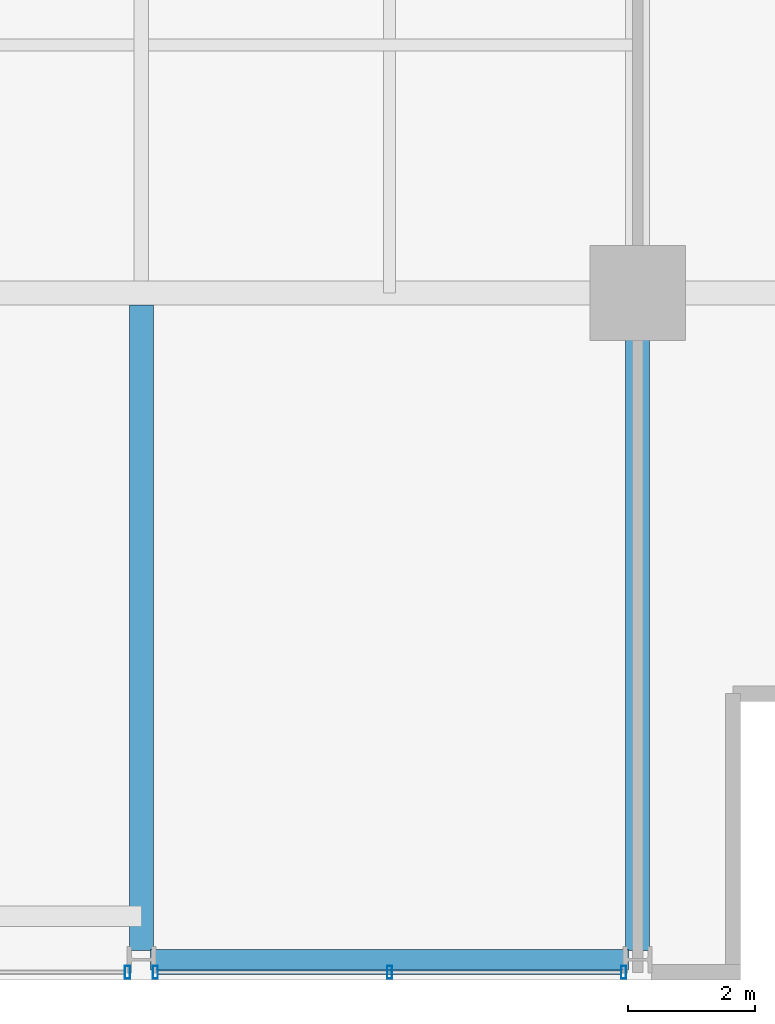
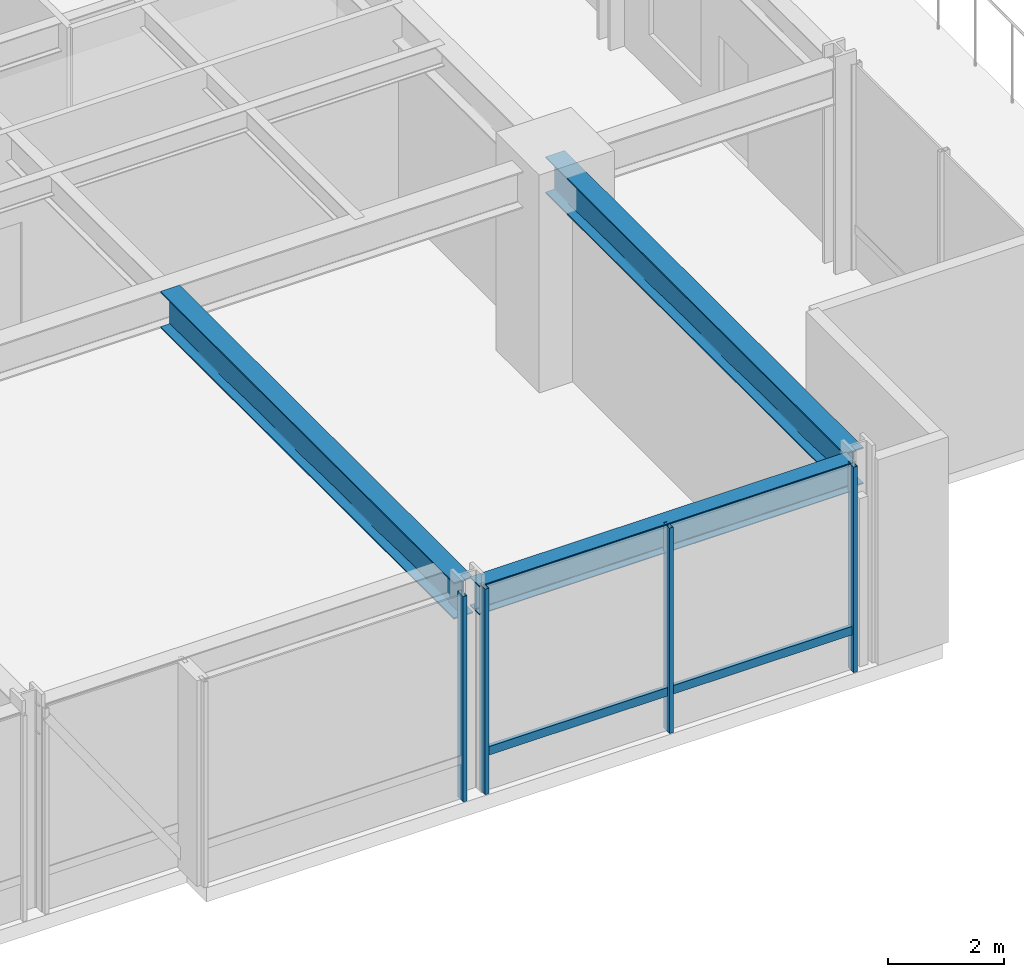
# One storey, part 11 of 33: 5 members, 3 beams, 2 elements without a shape of their own.
"""IFC4 building model written with IfcOpenShell, lengths in metres."""

from ifc_helpers import new_model, si_unit, direction, frame, origin, origin_2d, place, context, subcontext, project, spatial, hollow_rectangle, i_section, extrude, material, layer, layer_set, material_profile, profile_set, type_object, element, aggregate, save


model = new_model("IFC4")

# Units and contexts
model_context = context("Model", 3, precision=1e-05, world=origin(), true_north=direction((0.0, 1.0)))
body_context = subcontext(model_context, "Body", "Model", "MODEL_VIEW")
ifc_project = project(units=[si_unit("LENGTHUNIT", "METRE"), si_unit("AREAUNIT", "SQUARE_METRE"), si_unit("VOLUMEUNIT", "CUBIC_METRE"), si_unit("PLANEANGLEUNIT", "RADIAN"), si_unit("MASSUNIT", "GRAM", prefix="KILO")], contexts=[model_context])

# Site, building, storey
site_placement = place(None, origin())
site = spatial("IfcSite", under=ifc_project, at=site_placement, CompositionType="ELEMENT")
building_placement = place(site_placement, origin())
building = spatial("IfcBuilding", under=site, at=building_placement, Name="Drelvath Grand Hotel", CompositionType="ELEMENT")
storey_placement = place(building_placement, frame((0.0, 0.0, 87.199951171875)))
storey = spatial("IfcBuildingStorey", under=building, at=storey_placement, Name="L21", CompositionType="ELEMENT", Elevation=87.199951171875)

# Curtain wall, member
ifc_material_1 = material(Name="Champagne Bronze Anodised Aluminium Frame", Category="aluminium")
ifc_layer = layer(ifc_material_1, 0.199951171875)
ifc_layer_set = layer_set([ifc_layer], Name="Champagne Bronze Anodised Aluminium Frame")
curtain_wall_type = type_object("IfcCurtainWallType", Name="Stick Curtain Wall CW-03 Champagne Bronze Mid-Rise", PredefinedType="NOTDEFINED", material=ifc_layer_set)
curtain_wall_1_placement = place(storey_placement, origin())
curtain_wall_1 = element("IfcCurtainWall", 1, at=curtain_wall_1_placement, inside=storey, type_object=curtain_wall_type, Name="L21 CW-03 Curtain Wall CW03-L21-SE2", PredefinedType="NOTDEFINED")
ifc_material_profile_1 = material_profile(ifc_material_1, hollow_rectangle(XDim=0.074951171875, YDim=0.179931640625, WallThickness=0.0048828125, at=origin_2d()), Name="HSS180X75X5")
ifc_profile_set_1 = profile_set([ifc_material_profile_1], Name="Champagne Bronze Anodised Aluminium Frame")
member_type_1 = type_object("IfcMemberType", Name="Curtain Wall Horizontal Transom CW-03 HSS180X75X5", PredefinedType="USERDEFINED", material=ifc_profile_set_1)
member_1_placement = place(storey_placement, frame((15.9404296875, 0.1201171875, 0.85009765625), z_axis=(-1.0, 0.0, 0.0), x_axis=(0.0, -1.0, 0.0)))
member_1 = element("IfcMember", 2, at=member_1_placement, type_object=member_type_1, Name="CW03-L21-SE2 Sill Transom", ObjectType="TRANSOM", PredefinedType="USERDEFINED", context=body_context, shape_type="SweptSolid", body=[
    extrude(hollow_rectangle(XDim=0.074951171875, YDim=0.179931640625, WallThickness=0.0048828125, at=origin_2d()), origin(), (0.0, 0.0, 1.0), 7.28076171875),
])

curtain_wall_2_placement = place(storey_placement, origin())
curtain_wall_2 = element("IfcCurtainWall", 3, at=curtain_wall_2_placement, inside=storey, type_object=curtain_wall_type, Name="L21 CW-03 Curtain Wall CW03-L21-SE1", PredefinedType="NOTDEFINED")
ifc_material_profile_2 = material_profile(ifc_material_1, hollow_rectangle(XDim=0.080078125, YDim=0.199951171875, WallThickness=0.0048828125, at=origin_2d()), Name="HSS200X80X5")
ifc_profile_set_2 = profile_set([ifc_material_profile_2], Name="Champagne Bronze Anodised Aluminium Frame")
member_type_2 = type_object("IfcMemberType", Name="Curtain Wall Vertical Mullion CW-03 HSS200X80X5", PredefinedType="MULLION", material=ifc_profile_set_2)
member_2_placement = place(storey_placement, frame((8.180419921875, 0.1201171875, 0.0), z_axis=(0.0, 0.0, 1.0), x_axis=(1.0, 0.0, 0.0)))
member_2 = element("IfcMember", 4, at=member_2_placement, type_object=member_type_2, Name="CW03-L21-SE1 Mullion 1", PredefinedType="MULLION", context=body_context, shape_type="SweptSolid", body=[
    extrude(hollow_rectangle(XDim=0.080078125, YDim=0.199951171875, WallThickness=0.0048828125, at=origin_2d()), origin(), (0.0, 0.0, 1.0), 4.340087890625),
])
aggregate(curtain_wall_2, [member_2])

# Member
member_3_placement = place(storey_placement, frame((15.98046875, 0.1201171875, 0.0), z_axis=(0.0, 0.0, 1.0), x_axis=(1.0, 0.0, 0.0)))
member_3 = element("IfcMember", 5, at=member_3_placement, type_object=member_type_2, Name="CW03-L21-SE2 Mullion 1", PredefinedType="MULLION", context=body_context, shape_type="SweptSolid", body=[
    extrude(hollow_rectangle(XDim=0.080078125, YDim=0.199951171875, WallThickness=0.0048828125, at=origin_2d()), origin(), (0.0, 0.0, 1.0), 4.340087890625),
])

member_4_placement = place(storey_placement, frame((12.300048828125, 0.1201171875, 0.0), z_axis=(0.0, 0.0, 1.0), x_axis=(1.0, 0.0, 0.0)))
member_4 = element("IfcMember", 6, at=member_4_placement, type_object=member_type_2, Name="CW03-L21-SE2 Mullion 2", PredefinedType="MULLION", context=body_context, shape_type="SweptSolid", body=[
    extrude(hollow_rectangle(XDim=0.080078125, YDim=0.199951171875, WallThickness=0.0048828125, at=origin_2d()), origin(), (0.0, 0.0, 1.0), 4.340087890625),
])

member_5_placement = place(storey_placement, frame((8.61962890625, 0.1201171875, 0.0), z_axis=(0.0, 0.0, 1.0), x_axis=(1.0, 0.0, 0.0)))
member_5 = element("IfcMember", 7, at=member_5_placement, type_object=member_type_2, Name="CW03-L21-SE2 Mullion 3", PredefinedType="MULLION", context=body_context, shape_type="SweptSolid", body=[
    extrude(hollow_rectangle(XDim=0.080078125, YDim=0.199951171875, WallThickness=0.0048828125, at=origin_2d()), origin(), (0.0, 0.0, 1.0), 4.340087890625),
])

aggregate(curtain_wall_1, [member_3, member_4, member_5, member_1])

# Beams
ifc_material_2 = material(Name="Steel ASTM A992 Gr 50", Category="steel")
ifc_material_profile_3 = material_profile(ifc_material_2, i_section(OverallWidth=0.323974609375, OverallDepth=0.611083984375, WebThickness=0.0126953125, FlangeThickness=0.01904296875, FilletRadius=0.02197265625, at=origin_2d()), Name="W24X104")
ifc_profile_set_3 = profile_set([ifc_material_profile_3], Name="Steel ASTM A992 Gr 50")
beam_type_1 = type_object("IfcBeamType", Name="Perimeter Spandrel Beam W24X104", PredefinedType="SPANDREL", material=ifc_profile_set_3)
beam_1_placement = place(storey_placement, frame((8.5400390625, 0.320068359375, 4.03466796875), z_axis=(1.0, 0.0, 0.0), x_axis=(0.0, 1.0, 0.0)))
element("IfcBeam", 8, at=beam_1_placement, inside=storey, type_object=beam_type_1, Name="L21 Spandrel South E", PredefinedType="SPANDREL", context=body_context, shape_type="SweptSolid", body=[
    extrude(i_section(OverallWidth=0.323974609375, OverallDepth=0.611083984375, WebThickness=0.0126953125, FlangeThickness=0.01904296875, FilletRadius=0.02197265625, at=origin_2d()), origin(), (0.0, 0.0, 1.0), 7.52001953125),
])
ifc_material_profile_4 = material_profile(ifc_material_2, i_section(OverallWidth=0.380615234375, OverallDepth=0.773193359375, WebThickness=0.0166015625, FlangeThickness=0.027099609375, FilletRadius=0.02490234375, at=origin_2d()), Name="W30X173")
ifc_profile_set_4 = profile_set([ifc_material_profile_4], Name="Steel ASTM A992 Gr 50")
beam_type_2 = type_object("IfcBeamType", Name="Primary Floor Girder W30X173", PredefinedType="BEAM", material=ifc_profile_set_4)
beam_2_placement = place(storey_placement, frame((16.199951171875, 0.4599609375, 3.953369140625), z_axis=(0.0, 1.0, 0.0), x_axis=(-1.0, 0.0, 0.0)))
element("IfcBeam", 9, at=beam_2_placement, inside=storey, type_object=beam_type_2, Name="L21 South Grid Girder 7", PredefinedType="BEAM", context=body_context, shape_type="SweptSolid", body=[
    extrude(i_section(OverallWidth=0.380615234375, OverallDepth=0.773193359375, WebThickness=0.0166015625, FlangeThickness=0.027099609375, FilletRadius=0.02490234375, at=origin_2d()), origin(), (0.0, 0.0, 1.0), 10.340087890625),
])
beam_3_placement = place(storey_placement, frame((8.39990234375, 0.4599609375, 3.953369140625), z_axis=(0.0, 1.0, 0.0), x_axis=(-1.0, 0.0, 0.0)))
element("IfcBeam", 10, at=beam_3_placement, inside=storey, type_object=beam_type_2, Name="L21 South Wing Girder 6", PredefinedType="BEAM", context=body_context, shape_type="SweptSolid", body=[
    extrude(i_section(OverallWidth=0.380615234375, OverallDepth=0.773193359375, WebThickness=0.0166015625, FlangeThickness=0.027099609375, FilletRadius=0.02490234375, at=origin_2d()), origin(), (0.0, 0.0, 1.0), 10.149658203125),
])

save(model, "model.ifc")
